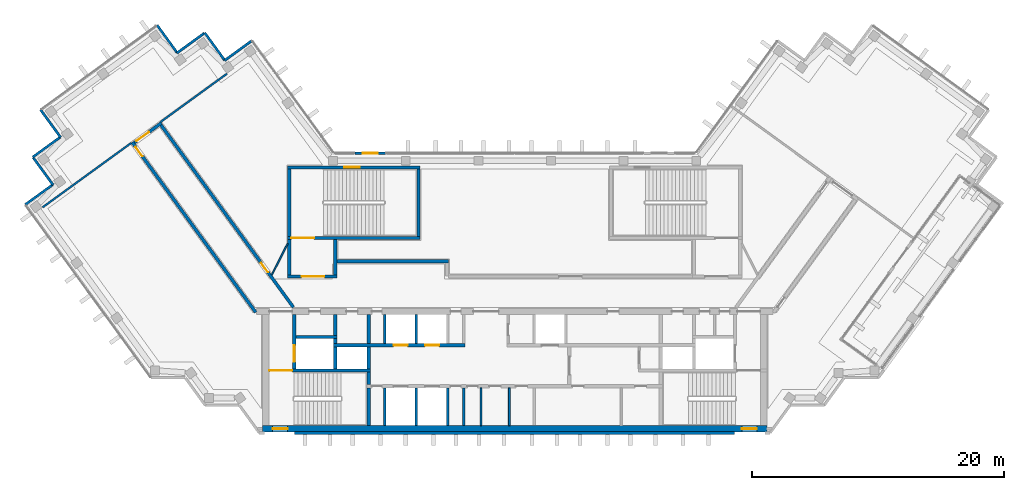
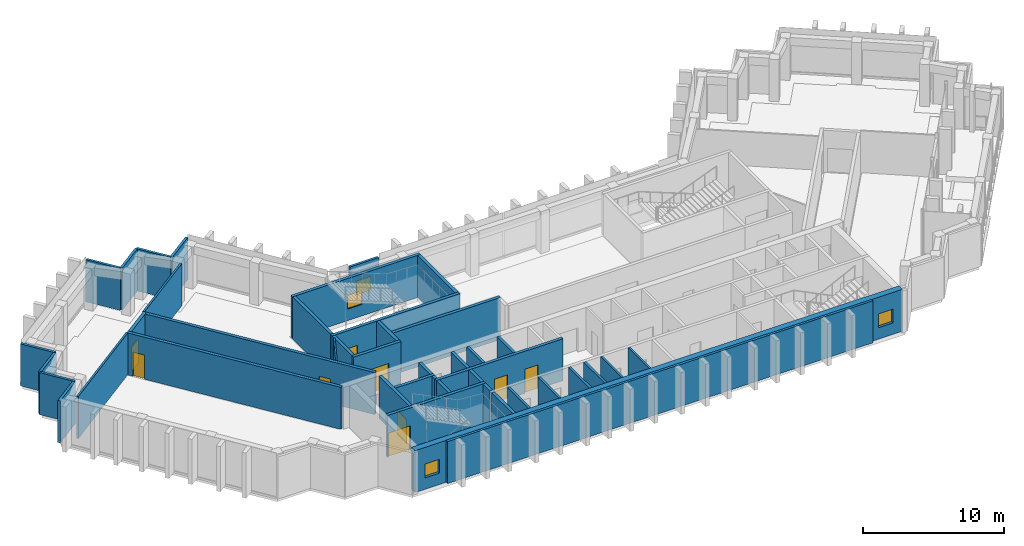
# One storey, part 4 of 9: 44 walls, 9 doors, 4 windows, 13 openings.
"""IFC4 building model written with IfcOpenShell, lengths in metres."""

from ifc_helpers import new_model, si_unit, direction, frame, frame_2d, origin, place, context, subcontext, project, spatial, rectangle, extrude, material, layer, layer_set, type_object, element, fill, save


model = new_model("IFC4")

# Units and contexts
model_context = context("Model", 3, precision=1e-05, world=origin(), true_north=direction((0.0, 1.0)))
body_context = subcontext(model_context, "Body", "Model", "MODEL_VIEW")
ifc_project = project(units=[si_unit("LENGTHUNIT", "METRE"), si_unit("AREAUNIT", "SQUARE_METRE"), si_unit("VOLUMEUNIT", "CUBIC_METRE"), si_unit("PLANEANGLEUNIT", "RADIAN"), si_unit("MASSUNIT", "GRAM", prefix="KILO")], contexts=[model_context])

# Site, building, storey
site_placement = place(None, origin())
site = spatial("IfcSite", under=ifc_project, at=site_placement, CompositionType="ELEMENT")
building_placement = place(site_placement, origin())
building = spatial("IfcBuilding", under=site, at=building_placement, Name="Quipu Civic Tower", CompositionType="ELEMENT")
storey_placement = place(building_placement, frame((0.0, 0.0, 315.0)))
storey = spatial("IfcBuildingStorey", under=building, at=storey_placement, Name="L73", CompositionType="ELEMENT", Elevation=315.0)

# Walls
ifc_material_1 = material(Name="Double gypsum plasterboard with mineral wool")
ifc_layer_1 = layer(ifc_material_1, 0.14990234375)
ifc_layer_set_1 = layer_set([ifc_layer_1], Name="Double gypsum plasterboard with mineral wool")
wall_type_1 = type_object("IfcWallType", Name="Acoustic partition 150 plasterboard", PredefinedType="PARTITIONING", material=ifc_layer_set_1)
wall_1_placement = place(storey_placement, frame((-22.818359375, 17.39599609375, 0.0), z_axis=(0.0, 0.0, 1.0), x_axis=(-0.809000932727, -0.587807358619, 0.0)))
element("IfcWall", 1, at=wall_1_placement, inside=storey, type_object=wall_type_1, Name="Partition P02", PredefinedType="PARTITIONING", context=body_context, shape_type="SweptSolid", body=[
    extrude(rectangle(XDim=6.49560546875, YDim=0.14990234375, at=frame_2d((3.247802734375, 0.0))), origin(), (0.0, 0.0, 1.0), 3.64990234375),
])
wall_2_placement = place(storey_placement, frame((-37.42919921875, 6.805419921875, 0.0), z_axis=(0.0, 0.0, 1.0), x_axis=(0.809020922653, 0.587779845444, 0.0)))
element("IfcWall", 2, at=wall_2_placement, inside=storey, type_object=wall_type_1, Name="Partition P03", PredefinedType="PARTITIONING", context=body_context, shape_type="SweptSolid", body=[
    extrude(rectangle(XDim=8.670166015625, YDim=0.14990234375, at=frame_2d((4.3349609375, 0.0))), origin(), (0.0, 0.0, 1.0), 3.64990234375),
])
ifc_material_2 = material(Name="Concrete C70/85", Category="concrete")
ifc_layer_2 = layer(ifc_material_2, 0.25)
ifc_layer_set_2 = layer_set([ifc_layer_2], Name="Concrete C70/85")
wall_type_2 = type_object("IfcWallType", Name="Core wall 250", PredefinedType="SHEAR", material=ifc_layer_set_2)
wall_3_placement = place(storey_placement, frame((-11.574951171875, -10.5, 0.0), z_axis=(0.0, 0.0, 1.0), x_axis=(0.0, 1.0, 0.0)))
element("IfcWall", 3, at=wall_3_placement, inside=storey, type_object=wall_type_2, Name="Core wall", PredefinedType="SHEAR", context=body_context, shape_type="SweptSolid", body=[
    extrude(rectangle(XDim=3.0, YDim=0.25, at=frame_2d((1.5, 0.0))), origin(), (0.0, 0.0, 1.0), 3.64990234375),
])
wall_4_placement = place(storey_placement, frame((-11.574951171875, -7.25, 0.0), z_axis=(0.0, 0.0, 1.0), x_axis=(0.0, 1.0, 0.0)))
element("IfcWall", 4, at=wall_4_placement, inside=storey, type_object=wall_type_2, Name="Core wall", PredefinedType="SHEAR", context=body_context, shape_type="SweptSolid", body=[
    extrude(rectangle(XDim=1.0, YDim=0.25, at=frame_2d((0.5, 0.0))), origin(), (0.0, 0.0, 1.0), 3.64990234375),
])

# Wall, opening, door
wall_5_placement = place(storey_placement, frame((-11.449951171875, -6.125, 0.0), z_axis=(0.0, 0.0, 1.0), x_axis=(-1.0, 0.0, 0.0)))
wall_5 = element("IfcWall", 5, at=wall_5_placement, inside=storey, type_object=wall_type_2, Name="Core wall", PredefinedType="SHEAR", context=body_context, shape_type="SweptSolid", body=[
    extrude(rectangle(XDim=8.050048828125, YDim=0.25, at=frame_2d((4.02490234375, 0.0))), origin(), (0.0, 0.0, 1.0), 3.64990234375),
])
opening_1_placement = place(wall_5_placement, frame((6.199951171875, 0.0, 0.0)))
opening_1 = element("IfcOpeningElement", 6, at=opening_1_placement, cuts=wall_5, Name="Opening CD-08", PredefinedType="OPENING", context=body_context, shape_type="SweptSolid", body=[
    extrude(rectangle(XDim=1.800048828125, YDim=2.10009765625, at=frame_2d((0.89990234375, 1.050048828125))), frame((0.0, 0.135009765625, 0.0), z_axis=(0.0, -1.0, 0.0), x_axis=(1.0, 0.0, 0.0)), (0.0, 0.0, 1.0), 0.27001953125),
])
ifc_material_3 = material(Name="Fire rated steel door", Category="steel")
door_type_1 = type_object("IfcDoorType", Name="Fire door FD90 double 1800 x 2100", OperationType="NOTDEFINED", PredefinedType="DOOR", material=ifc_material_3)
door_1_placement = place(opening_1_placement, origin())
door_1 = element("IfcDoor", 7, at=door_1_placement, inside=storey, type_object=door_type_1, Name="Door", OperationType="DOUBLE_DOOR_SINGLE_SWING", OverallHeight=2.10009765625, OverallWidth=1.800048828125, PredefinedType="DOOR", context=body_context, shape_type="SweptSolid", body=[
    extrude(rectangle(XDim=1.800048828125, YDim=2.10009765625, at=frame_2d((0.89990234375, 1.050048828125))), frame((0.0, 0.02490234375, 0.0), z_axis=(0.0, -1.0, 0.0), x_axis=(1.0, 0.0, 0.0)), (0.0, 0.0, 1.0), 0.050048828125),
])
fill(opening_1, door_1)

wall_6_placement = place(storey_placement, frame((-17.47509765625, -6.0, 0.0), z_axis=(0.0, 0.0, 1.0), x_axis=(0.0, 1.0, 0.0)))
wall_6 = element("IfcWall", 8, at=wall_6_placement, inside=storey, type_object=wall_type_2, Name="Core wall", PredefinedType="SHEAR", context=body_context, shape_type="SweptSolid", body=[
    extrude(rectangle(XDim=4.300048828125, YDim=0.25, at=frame_2d((2.14990234375, 0.0))), origin(), (0.0, 0.0, 1.0), 3.64990234375),
])
opening_2_placement = place(wall_6_placement, frame((0.550048828125, 0.0, 0.0)))
opening_2 = element("IfcOpeningElement", 9, at=opening_2_placement, cuts=wall_6, Name="Opening LD-FF1", PredefinedType="OPENING", context=body_context, shape_type="SweptSolid", body=[
    extrude(rectangle(XDim=1.300048828125, YDim=2.10009765625, at=frame_2d((0.64990234375, 1.050048828125))), frame((0.0, 0.135009765625, 0.0), z_axis=(0.0, -1.0, 0.0), x_axis=(1.0, 0.0, 0.0)), (0.0, 0.0, 1.0), 0.27001953125),
])
ifc_material_4 = material(Name="Stainless steel", Category="steel")
door_type_2 = type_object("IfcDoorType", Name="Lift landing door 1300 x 2100", OperationType="DOUBLE_DOOR_SLIDING", PredefinedType="DOOR", material=ifc_material_4)
door_2_placement = place(opening_2_placement, origin())
door_2 = element("IfcDoor", 10, at=door_2_placement, inside=storey, type_object=door_type_2, Name="Landing door FF1", OperationType="DOUBLE_DOOR_SLIDING", OverallHeight=2.10009765625, OverallWidth=1.300048828125, PredefinedType="DOOR", context=body_context, shape_type="SweptSolid", body=[
    extrude(rectangle(XDim=1.300048828125, YDim=2.10009765625, at=frame_2d((0.64990234375, 1.050048828125))), frame((0.0, 0.02490234375, 0.0), z_axis=(0.0, -1.0, 0.0), x_axis=(1.0, 0.0, 0.0)), (0.0, 0.0, 1.0), 0.050048828125),
])
fill(opening_2, door_2)

# Walls
for number, where, z_axis, x_axis, name in (
    (11, (-14.22509765625, -6.0, 0.0), (0.0, 0.0, 1.0), (0.0, 1.0, 0.0), "Core wall"),
    (12, (-11.574951171875, -6.0, 0.0), (0.0, 0.0, 1.0), (0.0, 1.0, 0.0), "Core wall"),
):
    element("IfcWall", number, at=place(storey_placement, frame(where, z_axis=z_axis, x_axis=x_axis)), inside=storey, type_object=wall_type_2, Name=name, PredefinedType="SHEAR", context=body_context, shape_type="SweptSolid", body=[
        extrude(rectangle(XDim=1.75, YDim=0.25, at=frame_2d((0.875, 0.0))), origin(), (0.0, 0.0, 1.0), 3.64990234375),
    ])

# Wall, openings, doors
wall_7_placement = place(storey_placement, frame((-14.35009765625, -4.125, 0.0), z_axis=(0.0, 0.0, 1.0), x_axis=(1.0, 0.0, 0.0)))
wall_7 = element("IfcWall", 13, at=wall_7_placement, inside=storey, type_object=wall_type_2, Name="Core wall", PredefinedType="SHEAR", context=body_context, shape_type="SweptSolid", body=[
    extrude(rectangle(XDim=10.400146484375, YDim=0.25, at=frame_2d((5.2001953125, 0.0))), origin(), (0.0, 0.0, 1.0), 3.64990234375),
])
opening_3_placement = place(wall_7_placement, frame((4.75, 0.0, 0.0)))
opening_3 = element("IfcOpeningElement", 14, at=opening_3_placement, cuts=wall_7, Name="Opening LD-HL3", PredefinedType="OPENING", context=body_context, shape_type="SweptSolid", body=[
    extrude(rectangle(XDim=1.10009765625, YDim=2.10009765625, at=frame_2d((0.550048828125, 1.050048828125))), frame((0.0, 0.135009765625, 0.0), z_axis=(0.0, -1.0, 0.0), x_axis=(1.0, 0.0, 0.0)), (0.0, 0.0, 1.0), 0.27001953125),
])
opening_4_placement = place(wall_7_placement, frame((7.25, 0.0, 0.0)))
opening_4 = element("IfcOpeningElement", 15, at=opening_4_placement, cuts=wall_7, Name="Opening LD-HL4", PredefinedType="OPENING", context=body_context, shape_type="SweptSolid", body=[
    extrude(rectangle(XDim=1.10009765625, YDim=2.10009765625, at=frame_2d((0.550048828125, 1.050048828125))), frame((0.0, 0.135009765625, 0.0), z_axis=(0.0, -1.0, 0.0), x_axis=(1.0, 0.0, 0.0)), (0.0, 0.0, 1.0), 0.27001953125),
])
ifc_material_5 = material(Name="Stainless steel", Category="steel")
door_type_3 = type_object("IfcDoorType", Name="Lift landing door 1100 x 2100", OperationType="DOUBLE_DOOR_SLIDING", PredefinedType="DOOR", material=ifc_material_5)
door_3_placement = place(opening_3_placement, origin())
door_3 = element("IfcDoor", 16, at=door_3_placement, inside=storey, type_object=door_type_3, Name="Landing door HL3", OperationType="DOUBLE_DOOR_SLIDING", OverallHeight=2.10009765625, OverallWidth=1.10009765625, PredefinedType="DOOR", context=body_context, shape_type="SweptSolid", body=[
    extrude(rectangle(XDim=1.10009765625, YDim=2.10009765625, at=frame_2d((0.550048828125, 1.050048828125))), frame((0.0, 0.02490234375, 0.0), z_axis=(0.0, -1.0, 0.0), x_axis=(1.0, 0.0, 0.0)), (0.0, 0.0, 1.0), 0.050048828125),
])
fill(opening_3, door_3)
door_4_placement = place(opening_4_placement, origin())
door_4 = element("IfcDoor", 17, at=door_4_placement, inside=storey, type_object=door_type_3, Name="Landing door HL4", OperationType="DOUBLE_DOOR_SLIDING", OverallHeight=2.10009765625, OverallWidth=1.10009765625, PredefinedType="DOOR", context=body_context, shape_type="SweptSolid", body=[
    extrude(rectangle(XDim=1.10009765625, YDim=2.10009765625, at=frame_2d((0.550048828125, 1.050048828125))), frame((0.0, 0.02490234375, 0.0), z_axis=(0.0, -1.0, 0.0), x_axis=(1.0, 0.0, 0.0)), (0.0, 0.0, 1.0), 0.050048828125),
])
fill(opening_4, door_4)

# Walls
wall_8_placement = place(storey_placement, frame((-14.22509765625, -4.0, 0.0), z_axis=(0.0, 0.0, 1.0), x_axis=(0.0, 1.0, 0.0)))
element("IfcWall", 18, at=wall_8_placement, inside=storey, type_object=wall_type_2, Name="Core wall", PredefinedType="SHEAR", context=body_context, shape_type="SweptSolid", body=[
    extrude(rectangle(XDim=0.39990234375, YDim=0.25, at=frame_2d((0.199951171875, 0.0))), origin(), (0.0, 0.0, 1.0), 3.64990234375),
])
wall_9_placement = place(storey_placement, frame((-11.574951171875, -4.0, 0.0), z_axis=(0.0, 0.0, 1.0), x_axis=(0.0, 1.0, 0.0)))
element("IfcWall", 19, at=wall_9_placement, inside=storey, type_object=wall_type_2, Name="Core wall", PredefinedType="SHEAR", context=body_context, shape_type="SweptSolid", body=[
    extrude(rectangle(XDim=2.300048828125, YDim=0.25, at=frame_2d((1.14990234375, 0.0))), origin(), (0.0, 0.0, 1.0), 3.64990234375),
])
wall_10_placement = place(storey_placement, frame((-17.35009765625, -3.47509765625, 0.0), z_axis=(0.0, 0.0, 1.0), x_axis=(1.0, 0.0, 0.0)))
element("IfcWall", 20, at=wall_10_placement, inside=storey, type_object=wall_type_2, Name="Core wall", PredefinedType="SHEAR", context=body_context, shape_type="SweptSolid", body=[
    extrude(rectangle(XDim=3.25, YDim=0.25, at=frame_2d((1.625, 0.0))), origin(), (0.0, 0.0, 1.0), 3.64990234375),
])
wall_11_placement = place(storey_placement, frame((-14.22509765625, -3.35009765625, 0.0), z_axis=(0.0, 0.0, 1.0), x_axis=(0.0, 1.0, 0.0)))
element("IfcWall", 21, at=wall_11_placement, inside=storey, type_object=wall_type_2, Name="Core wall", PredefinedType="SHEAR", context=body_context, shape_type="SweptSolid", body=[
    extrude(rectangle(XDim=1.650146484375, YDim=0.25, at=frame_2d((0.8251953125, 0.0))), origin(), (0.0, 0.0, 1.0), 3.64990234375),
])

# Wall, opening, door
wall_12_placement = place(storey_placement, frame((-18.0, 1.324951171875, 0.0), z_axis=(0.0, 0.0, 1.0), x_axis=(1.0, 0.0, 0.0)))
wall_12 = element("IfcWall", 22, at=wall_12_placement, inside=storey, type_object=wall_type_2, Name="Core wall", PredefinedType="SHEAR", context=body_context, shape_type="SweptSolid", body=[
    extrude(rectangle(XDim=3.89990234375, YDim=0.25, at=frame_2d((1.949951171875, 0.0))), origin(), (0.0, 0.0, 1.0), 3.64990234375),
])
opening_5_placement = place(wall_12_placement, frame((1.10009765625, 0.0, 0.0)))
opening_5 = element("IfcOpeningElement", 23, at=opening_5_placement, cuts=wall_12, Name="Opening CD-24", PredefinedType="OPENING", context=body_context, shape_type="SweptSolid", body=[
    extrude(rectangle(XDim=1.800048828125, YDim=2.10009765625, at=frame_2d((0.89990234375, 1.050048828125))), frame((0.0, 0.135009765625, 0.0), z_axis=(0.0, -1.0, 0.0), x_axis=(1.0, 0.0, 0.0)), (0.0, 0.0, 1.0), 0.27001953125),
])
door_5_placement = place(opening_5_placement, origin())
door_5 = element("IfcDoor", 24, at=door_5_placement, inside=storey, type_object=door_type_1, Name="Lobby door", OperationType="DOUBLE_DOOR_SINGLE_SWING", OverallHeight=2.10009765625, OverallWidth=1.800048828125, PredefinedType="DOOR", context=body_context, shape_type="SweptSolid", body=[
    extrude(rectangle(XDim=1.800048828125, YDim=2.10009765625, at=frame_2d((0.89990234375, 1.050048828125))), frame((0.0, 0.02490234375, 0.0), z_axis=(0.0, -1.0, 0.0), x_axis=(1.0, 0.0, 0.0)), (0.0, 0.0, 1.0), 0.050048828125),
])
fill(opening_5, door_5)

# Walls
for number, where, z_axis, x_axis, name in (
    (25, (-17.875, 1.449951171875, 0.0), (0.0, 0.0, 1.0), (0.0, 1.0, 0.0), "Core wall"),
    (26, (-14.22509765625, 1.449951171875, 0.0), (0.0, 0.0, 1.0), (0.0, 1.0, 0.0), "Core wall"),
):
    element("IfcWall", number, at=place(storey_placement, frame(where, z_axis=z_axis, x_axis=x_axis)), inside=storey, type_object=wall_type_2, Name=name, PredefinedType="SHEAR", context=body_context, shape_type="SweptSolid", body=[
        extrude(rectangle(XDim=2.800048828125, YDim=0.25, at=frame_2d((1.39990234375, 0.0))), origin(), (0.0, 0.0, 1.0), 3.64990234375),
    ])

# Wall, opening, door
wall_13_placement = place(storey_placement, frame((-18.0, 4.375, 0.0), z_axis=(0.0, 0.0, 1.0), x_axis=(1.0, 0.0, 0.0)))
wall_13 = element("IfcWall", 27, at=wall_13_placement, inside=storey, type_object=wall_type_2, Name="Core wall", PredefinedType="SHEAR", context=body_context, shape_type="SweptSolid", body=[
    extrude(rectangle(XDim=10.5, YDim=0.25, at=frame_2d((5.25, 0.0))), origin(), (0.0, 0.0, 1.0), 3.64990234375),
])
opening_6_placement = place(wall_13_placement, frame((0.300048828125, 0.0, 0.0)))
opening_6 = element("IfcOpeningElement", 28, at=opening_6_placement, cuts=wall_13, Name="Opening CD-25", PredefinedType="OPENING", context=body_context, shape_type="SweptSolid", body=[
    extrude(rectangle(XDim=1.800048828125, YDim=2.10009765625, at=frame_2d((0.89990234375, 1.050048828125))), frame((0.0, 0.135009765625, 0.0), z_axis=(0.0, -1.0, 0.0), x_axis=(1.0, 0.0, 0.0)), (0.0, 0.0, 1.0), 0.27001953125),
])
door_6_placement = place(opening_6_placement, origin())
door_6 = element("IfcDoor", 29, at=door_6_placement, inside=storey, type_object=door_type_1, Name="Door", OperationType="DOUBLE_DOOR_SINGLE_SWING", OverallHeight=2.10009765625, OverallWidth=1.800048828125, PredefinedType="DOOR", context=body_context, shape_type="SweptSolid", body=[
    extrude(rectangle(XDim=1.800048828125, YDim=2.10009765625, at=frame_2d((0.89990234375, 1.050048828125))), frame((0.0, 0.02490234375, 0.0), z_axis=(0.0, -1.0, 0.0), x_axis=(1.0, 0.0, 0.0)), (0.0, 0.0, 1.0), 0.050048828125),
])
fill(opening_6, door_6)

# Walls
for number, where, z_axis, x_axis, name in (
    (30, (-17.875, 4.5, 0.0), (0.0, 0.0, 1.0), (0.0, 1.0, 0.0), "Core wall"),
    (31, (-7.625, 4.5, 0.0), (0.0, 0.0, 1.0), (0.0, 1.0, 0.0), "Core wall"),
):
    element("IfcWall", number, at=place(storey_placement, frame(where, z_axis=z_axis, x_axis=x_axis)), inside=storey, type_object=wall_type_2, Name=name, PredefinedType="SHEAR", context=body_context, shape_type="SweptSolid", body=[
        extrude(rectangle(XDim=5.35009765625, YDim=0.25, at=frame_2d((2.675048828125, 0.0))), origin(), (0.0, 0.0, 1.0), 3.64990234375),
    ])

# Wall, opening, window
wall_14_placement = place(storey_placement, frame((-18.0, 9.97509765625, 0.0), z_axis=(0.0, 0.0, 1.0), x_axis=(1.0, 0.0, 0.0)))
wall_14 = element("IfcWall", 32, at=wall_14_placement, inside=storey, type_object=wall_type_2, Name="Core wall", PredefinedType="SHEAR", context=body_context, shape_type="SweptSolid", body=[
    extrude(rectangle(XDim=10.5, YDim=0.25, at=frame_2d((5.25, 0.0))), origin(), (0.0, 0.0, 1.0), 3.64990234375),
])
opening_7_placement = place(wall_14_placement, frame((4.5, 0.0, 1.0)))
opening_7 = element("IfcOpeningElement", 33, at=opening_7_placement, cuts=wall_14, Name="Opening SV-3", PredefinedType="OPENING", context=body_context, shape_type="SweptSolid", body=[
    extrude(rectangle(XDim=1.199951171875, YDim=1.199951171875, at=frame_2d((0.60009765625, 0.60009765625))), frame((0.0, 0.135009765625, 0.0), z_axis=(0.0, -1.0, 0.0), x_axis=(1.0, 0.0, 0.0)), (0.0, 0.0, 1.0), 0.27001953125),
])
ifc_material_6 = material(Name="Aluminium louvre", Category="aluminium")
window_type_1 = type_object("IfcWindowType", Name="Stair ventilation louvre 1200 x 1200", PartitioningType="SINGLE_PANEL", PredefinedType="WINDOW", material=ifc_material_6)
window_1_placement = place(opening_7_placement, origin())
window_1 = element("IfcWindow", 34, at=window_1_placement, inside=storey, type_object=window_type_1, Name="Stair ventilation opening", OverallHeight=1.199951171875, OverallWidth=1.199951171875, PartitioningType="SINGLE_PANEL", PredefinedType="WINDOW", context=body_context, shape_type="SweptSolid", body=[
    extrude(rectangle(XDim=1.199951171875, YDim=1.199951171875, at=frame_2d((0.60009765625, 0.60009765625))), frame((0.0, 0.030029296875, 0.0), z_axis=(0.0, -1.0, 0.0), x_axis=(1.0, 0.0, 0.0)), (0.0, 0.0, 1.0), 0.06005859375),
])
fill(opening_7, window_1)

# Wall, openings, windows
ifc_material_7 = material(Name="Concrete C70/85", Category="concrete")
ifc_layer_3 = layer(ifc_material_7, 0.5)
ifc_layer_set_3 = layer_set([ifc_layer_3], Name="Concrete C70/85")
wall_type_3 = type_object("IfcWallType", Name="Core wall 500", PredefinedType="SHEAR", material=ifc_layer_set_3)
wall_15_placement = place(storey_placement, frame((-20.0, -10.75, 0.0), z_axis=(0.0, 0.0, 1.0), x_axis=(1.0, 0.0, 0.0)))
wall_15 = element("IfcWall", 35, at=wall_15_placement, inside=storey, type_object=wall_type_3, Name="Core wall", PredefinedType="SHEAR", context=body_context, shape_type="SweptSolid", body=[
    extrude(rectangle(XDim=40.0, YDim=0.5, at=frame_2d((20.0, 0.0))), origin(), (0.0, 0.0, 1.0), 3.64990234375),
])
opening_8_placement = place(wall_15_placement, frame((0.800048828125, 0.0, 1.0)))
opening_8 = element("IfcOpeningElement", 36, at=opening_8_placement, cuts=wall_15, Name="Opening SV-1", PredefinedType="OPENING", context=body_context, shape_type="SweptSolid", body=[
    extrude(rectangle(XDim=1.199951171875, YDim=1.199951171875, at=frame_2d((0.60009765625, 0.60009765625))), frame((0.0, 0.260009765625, 0.0), z_axis=(0.0, -1.0, 0.0), x_axis=(1.0, 0.0, 0.0)), (0.0, 0.0, 1.0), 0.52001953125),
])
opening_9_placement = place(wall_15_placement, frame((38.0, 0.0, 1.0)))
opening_9 = element("IfcOpeningElement", 37, at=opening_9_placement, cuts=wall_15, Name="Opening SV-2", PredefinedType="OPENING", context=body_context, shape_type="SweptSolid", body=[
    extrude(rectangle(XDim=1.199951171875, YDim=1.199951171875, at=frame_2d((0.60009765625, 0.60009765625))), frame((0.0, 0.260009765625, 0.0), z_axis=(0.0, -1.0, 0.0), x_axis=(1.0, 0.0, 0.0)), (0.0, 0.0, 1.0), 0.52001953125),
])
window_2_placement = place(opening_8_placement, origin())
window_2 = element("IfcWindow", 38, at=window_2_placement, inside=storey, type_object=window_type_1, Name="Stair ventilation opening", OverallHeight=1.199951171875, OverallWidth=1.199951171875, PartitioningType="SINGLE_PANEL", PredefinedType="WINDOW", context=body_context, shape_type="SweptSolid", body=[
    extrude(rectangle(XDim=1.199951171875, YDim=1.199951171875, at=frame_2d((0.60009765625, 0.60009765625))), frame((0.0, 0.030029296875, 0.0), z_axis=(0.0, -1.0, 0.0), x_axis=(1.0, 0.0, 0.0)), (0.0, 0.0, 1.0), 0.06005859375),
])
fill(opening_8, window_2)
window_3_placement = place(opening_9_placement, origin())
window_3 = element("IfcWindow", 39, at=window_3_placement, inside=storey, type_object=window_type_1, Name="Stair ventilation opening", OverallHeight=1.199951171875, OverallWidth=1.199951171875, PartitioningType="SINGLE_PANEL", PredefinedType="WINDOW", context=body_context, shape_type="SweptSolid", body=[
    extrude(rectangle(XDim=1.199951171875, YDim=1.199951171875, at=frame_2d((0.60009765625, 0.60009765625))), frame((0.0, 0.030029296875, 0.0), z_axis=(0.0, -1.0, 0.0), x_axis=(1.0, 0.0, 0.0)), (0.0, 0.0, 1.0), 0.06005859375),
])
fill(opening_9, window_3)

# Wall, opening, door
ifc_material_8 = material(Name="Concrete C50/60", Category="concrete")
ifc_layer_4 = layer(ifc_material_8, 0.25)
ifc_layer_set_4 = layer_set([ifc_layer_4], Name="Concrete C50/60")
wall_type_4 = type_object("IfcWallType", Name="Corridor wall 250 concrete", PredefinedType="SOLIDWALL", material=ifc_layer_set_4)
wall_16_placement = place(storey_placement, frame((-20.531005859375, -1.5234375, 0.0), z_axis=(0.0, 0.0, 1.0), x_axis=(-0.587785867777, 0.809016547199, 0.0)))
wall_16 = element("IfcWall", 40, at=wall_16_placement, inside=storey, type_object=wall_type_4, Name="Corridor wall C04", PredefinedType="SOLIDWALL", context=body_context, shape_type="SweptSolid", body=[
    extrude(rectangle(XDim=16.67041015625, YDim=0.25, at=frame_2d((8.335205078125, 0.0))), origin(), (0.0, 0.0, 1.0), 3.64990234375),
])
opening_10_placement = place(wall_16_placement, frame((15.2958984375, 0.0, 0.0)))
opening_10 = element("IfcOpeningElement", 41, at=opening_10_placement, cuts=wall_16, Name="Opening D006", PredefinedType="OPENING", context=body_context, shape_type="SweptSolid", body=[
    extrude(rectangle(XDim=0.89990234375, YDim=2.10009765625, at=frame_2d((0.449951171875, 1.050048828125))), frame((0.0, 0.135009765625, 0.0), z_axis=(0.0, -1.0, 0.0), x_axis=(1.0, 0.0, 0.0)), (0.0, 0.0, 1.0), 0.27001953125),
])
ifc_material_9 = material(Name="Fire rated timber door set with metal frame", Category="wood")
door_type_4 = type_object("IfcDoorType", Name="Single door 900 x 2100 FD60", OperationType="NOTDEFINED", PredefinedType="DOOR", material=ifc_material_9)
door_7_placement = place(opening_10_placement, origin())
door_7 = element("IfcDoor", 42, at=door_7_placement, inside=storey, type_object=door_type_4, Name="Door D006", OperationType="SINGLE_SWING_RIGHT", OverallHeight=2.10009765625, OverallWidth=0.89990234375, PredefinedType="DOOR", context=body_context, shape_type="SweptSolid", body=[
    extrude(rectangle(XDim=0.89990234375, YDim=2.10009765625, at=frame_2d((0.449951171875, 1.050048828125))), frame((0.0, 0.02490234375, 0.0), z_axis=(0.0, -1.0, 0.0), x_axis=(1.0, 0.0, 0.0)), (0.0, 0.0, 1.0), 0.050048828125),
])
fill(opening_10, door_7)

wall_17_placement = place(storey_placement, frame((-30.155029296875, 11.935546875, 0.0), z_axis=(0.0, 0.0, 1.0), x_axis=(0.809038743598, 0.587755315891, 0.0)))
wall_17 = element("IfcWall", 43, at=wall_17_placement, inside=storey, type_object=wall_type_4, Name="Corridor wall C05", PredefinedType="SOLIDWALL", context=body_context, shape_type="SweptSolid", body=[
    extrude(rectangle(XDim=2.650146484375, YDim=0.25, at=frame_2d((1.3251953125, 0.0))), origin(), (0.0, 0.0, 1.0), 3.64990234375),
])
opening_11_placement = place(wall_17_placement, frame((0.224609375, 0.0, 0.0)))
opening_11 = element("IfcOpeningElement", 44, at=opening_11_placement, cuts=wall_17, Name="Opening D007", PredefinedType="OPENING", context=body_context, shape_type="SweptSolid", body=[
    extrude(rectangle(XDim=1.199951171875, YDim=2.10009765625, at=frame_2d((0.60009765625, 1.050048828125))), frame((0.0, 0.135009765625, 0.0), z_axis=(0.0, -1.0, 0.0), x_axis=(1.0, 0.0, 0.0)), (0.0, 0.0, 1.0), 0.27001953125),
])
ifc_material_10 = material(Name="Fire rated timber door set with metal frame", Category="wood")
door_type_5 = type_object("IfcDoorType", Name="Single door 1200 x 2100 FD60", OperationType="NOTDEFINED", PredefinedType="DOOR", material=ifc_material_10)
door_8_placement = place(opening_11_placement, origin())
door_8 = element("IfcDoor", 45, at=door_8_placement, inside=storey, type_object=door_type_5, Name="Door D007", OperationType="SINGLE_SWING_LEFT", OverallHeight=2.10009765625, OverallWidth=1.199951171875, PredefinedType="DOOR", context=body_context, shape_type="SweptSolid", body=[
    extrude(rectangle(XDim=1.199951171875, YDim=2.10009765625, at=frame_2d((0.60009765625, 1.050048828125))), frame((0.0, 0.02490234375, 0.0), z_axis=(0.0, -1.0, 0.0), x_axis=(1.0, 0.0, 0.0)), (0.0, 0.0, 1.0), 0.050048828125),
])
fill(opening_11, door_8)

wall_18_placement = place(storey_placement, frame((-28.038818359375, 13.318603515625, 0.0), z_axis=(0.0, 0.0, 1.0), x_axis=(0.587791911753, -0.809012155952, 0.0)))
wall_18 = element("IfcWall", 46, at=wall_18_placement, inside=storey, type_object=wall_type_4, Name="Corridor wall C06", PredefinedType="SOLIDWALL", context=body_context, shape_type="SweptSolid", body=[
    extrude(rectangle(XDim=17.85302734375, YDim=0.25, at=frame_2d((8.926513671875, 0.0))), origin(), (0.0, 0.0, 1.0), 3.64990234375),
])
opening_12_placement = place(wall_18_placement, frame((13.51171875, 0.0, 0.0)))
opening_12 = element("IfcOpeningElement", 47, at=opening_12_placement, cuts=wall_18, Name="Opening D005", PredefinedType="OPENING", context=body_context, shape_type="SweptSolid", body=[
    extrude(rectangle(XDim=0.89990234375, YDim=2.10009765625, at=frame_2d((0.449951171875, 1.050048828125))), frame((0.0, 0.135009765625, 0.0), z_axis=(0.0, -1.0, 0.0), x_axis=(1.0, 0.0, 0.0)), (0.0, 0.0, 1.0), 0.27001953125),
])
door_9_placement = place(opening_12_placement, origin())
door_9 = element("IfcDoor", 48, at=door_9_placement, inside=storey, type_object=door_type_4, Name="Door D005", OperationType="SINGLE_SWING_RIGHT", OverallHeight=2.10009765625, OverallWidth=0.89990234375, PredefinedType="DOOR", context=body_context, shape_type="SweptSolid", body=[
    extrude(rectangle(XDim=0.89990234375, YDim=2.10009765625, at=frame_2d((0.449951171875, 1.050048828125))), frame((0.0, 0.02490234375, 0.0), z_axis=(0.0, -1.0, 0.0), x_axis=(1.0, 0.0, 0.0)), (0.0, 0.0, 1.0), 0.050048828125),
])
fill(opening_12, door_9)

# Walls
wall_19_placement = place(storey_placement, frame((-14.090087890625, 2.52490234375, 0.0), z_axis=(0.0, 0.0, 1.0), x_axis=(1.0, 0.0, 0.0)))
element("IfcWall", 49, at=wall_19_placement, inside=storey, type_object=wall_type_4, Name="Corridor wall C07", PredefinedType="SOLIDWALL", context=body_context, shape_type="SweptSolid", body=[
    extrude(rectangle(XDim=8.840087890625, YDim=0.25, at=frame_2d((4.419921875, 0.0))), origin(), (0.0, 0.0, 1.0), 3.64990234375),
])
ifc_material_11 = material(Name="Gypsum plasterboard on light gauge framing")
ifc_layer_5 = layer(ifc_material_11, 0.1201171875)
ifc_layer_set_5 = layer_set([ifc_layer_5], Name="Gypsum plasterboard on light gauge framing")
wall_type_5 = type_object("IfcWallType", Name="Partition 120 plasterboard", PredefinedType="PARTITIONING", material=ifc_layer_set_5)
wall_20_placement = place(storey_placement, frame((-19.260986328125, 1.449951171875, 0.0), z_axis=(0.0, 0.0, 1.0), x_axis=(0.453950796792, 0.891026752736, 0.0)))
element("IfcWall", 50, at=wall_20_placement, inside=storey, type_object=wall_type_5, Name="Partition P06", PredefinedType="PARTITIONING", context=body_context, shape_type="SweptSolid", body=[
    extrude(rectangle(XDim=2.77783203125, YDim=0.1201171875, at=frame_2d((1.388916015625, 0.0))), origin(), (0.0, 0.0, 1.0), 3.64990234375),
])
ifc_material_12 = material(Name="Gypsum board partition")
ifc_layer_6 = layer(ifc_material_12, 0.14990234375)
ifc_layer_set_6 = layer_set([ifc_layer_6], Name="Gypsum board partition")
wall_type_6 = type_object("IfcWallType", Name="Partition 150", PredefinedType="PARTITIONING", material=ifc_layer_set_6)
for number, where, z_axis, x_axis, name in (
    (51, (-2.675048828125, -10.5, 0.0), (0.0, 0.0, 1.0), (0.0, 1.0, 0.0), "Partition"),
    (52, (-0.425048828125, -10.5, 0.0), (0.0, 0.0, 1.0), (0.0, 1.0, 0.0), "Partition"),
):
    element("IfcWall", number, at=place(storey_placement, frame(where, z_axis=z_axis, x_axis=x_axis)), inside=storey, type_object=wall_type_6, Name=name, PredefinedType="PARTITIONING", context=body_context, shape_type="SweptSolid", body=[
        extrude(rectangle(XDim=3.0, YDim=0.14990234375, at=frame_2d((1.5, 0.0))), origin(), (0.0, 0.0, 1.0), 3.64990234375),
    ])

# Wall, opening, window
ifc_material_13 = material(Name="Precast concrete C40/50", Category="concrete")
wall_type_7 = type_object("IfcWallType", Name="Precast cladding wall", PredefinedType="SOLIDWALL", material=ifc_material_13)
wall_21_placement = place(storey_placement, frame((-10.263427734375, 11.10009765625, 0.0), z_axis=(0.0, 0.0, 1.0), x_axis=(-1.0, 0.0, 0.0)))
wall_21 = element("IfcWall", 53, at=wall_21_placement, inside=storey, type_object=wall_type_7, Name="Vent surround SF-L71-1", PredefinedType="SOLIDWALL", context=body_context, shape_type="SweptSolid", body=[
    extrude(rectangle(XDim=2.3916015625, YDim=0.199951171875, at=frame_2d((1.19580078125, 0.0))), origin(), (0.0, 0.0, 1.0), 3.64990234375),
])
opening_13_placement = place(wall_21_placement, frame((0.595703125, 0.0, 1.0)))
opening_13 = element("IfcOpeningElement", 54, at=opening_13_placement, cuts=wall_21, Name="Opening SF-L71-1", PredefinedType="OPENING", context=body_context, shape_type="SweptSolid", body=[
    extrude(rectangle(XDim=1.199951171875, YDim=1.199951171875, at=frame_2d((0.60009765625, 0.60009765625))), frame((0.0, 0.10986328125, 0.0), z_axis=(0.0, -1.0, 0.0), x_axis=(1.0, 0.0, 0.0)), (0.0, 0.0, 1.0), 0.219970703125),
])
ifc_material_14 = material(Name="Anodised aluminium louvre", Category="aluminium")
window_type_2 = type_object("IfcWindowType", Name="Stair vent louvre window P3", PartitioningType="SINGLE_PANEL", PredefinedType="WINDOW", material=ifc_material_14)
window_4_placement = place(opening_13_placement, origin())
window_4 = element("IfcWindow", 55, at=window_4_placement, inside=storey, type_object=window_type_2, Name="Stair vent louvre SF-L71-1", OverallHeight=1.199951171875, OverallWidth=1.199951171875, PartitioningType="SINGLE_PANEL", PredefinedType="WINDOW", context=body_context, shape_type="SweptSolid", body=[
    extrude(rectangle(XDim=1.199951171875, YDim=1.199951171875, at=frame_2d((0.60009765625, 0.60009765625))), frame((0.0, 0.030029296875, 0.0), z_axis=(0.0, -1.0, 0.0), x_axis=(1.0, 0.0, 0.0)), (0.0, 0.0, 1.0), 0.06005859375),
])
fill(opening_13, window_4)

# Walls
for number, where, z_axis, x_axis, name in (
    (56, (-20.828857421875, 20.025390625, 0.0), (0.0, 0.0, 1.0), (-0.808990163075, -0.587822180636, 0.0), "Precast cladding wall L73 P14"),
    (57, (-22.996337890625, 18.465576171875, 0.0), (0.0, 0.0, 1.0), (-0.587762999008, 0.809033161865, 0.0), "Precast cladding wall L73 P15"),
):
    element("IfcWall", number, at=place(storey_placement, frame(where, z_axis=z_axis, x_axis=x_axis)), inside=storey, type_object=wall_type_7, Name=name, PredefinedType="SOLIDWALL", context=body_context, shape_type="SweptSolid", body=[
        extrude(rectangle(XDim=2.699951171875, YDim=0.199951171875, at=frame_2d((1.35009765625, 0.0))), origin(), (0.0, 0.0, 1.0), 3.64990234375),
    ])
for number, where, z_axis, x_axis, name in (
    (58, (-24.60009765625, 20.62255859375, 0.0), (0.0, 0.0, 1.0), (-0.809064397168, -0.587720002413, 0.0), "Precast cladding wall L73 P16"),
    (59, (-26.767578125, 19.062744140625, 0.0), (0.0, 0.0, 1.0), (-0.587720002413, 0.809064397168, 0.0), "Precast cladding wall L73 P17"),
):
    element("IfcWall", number, at=place(storey_placement, frame(where, z_axis=z_axis, x_axis=x_axis)), inside=storey, type_object=wall_type_7, Name=name, PredefinedType="SOLIDWALL", context=body_context, shape_type="SweptSolid", body=[
        extrude(rectangle(XDim=2.7001953125, YDim=0.199951171875, at=frame_2d((1.35009765625, 0.0))), origin(), (0.0, 0.0, 1.0), 3.64990234375),
    ])
for number, where, z_axis, x_axis, name in (
    (60, (-37.591796875, 14.535888671875, 0.0), (0.0, 0.0, 1.0), (0.587762999008, -0.809033161865, 0.0), "Precast cladding wall L73 P19"),
    (61, (-36.031982421875, 12.36865234375, 0.0), (0.0, 0.0, 1.0), (-0.809033161865, -0.587762999008, 0.0), "Precast cladding wall L73 P20"),
    (62, (-38.189208984375, 10.7646484375, 0.0), (0.0, 0.0, 1.0), (0.587822180636, -0.808990163075, 0.0), "Precast cladding wall L73 P21"),
    (63, (-36.62939453125, 8.597412109375, 0.0), (0.0, 0.0, 1.0), (-0.809033161865, -0.587762999008, 0.0), "Precast cladding wall L73 P22"),
):
    element("IfcWall", number, at=place(storey_placement, frame(where, z_axis=z_axis, x_axis=x_axis)), inside=storey, type_object=wall_type_7, Name=name, PredefinedType="SOLIDWALL", context=body_context, shape_type="SweptSolid", body=[
        extrude(rectangle(XDim=2.699951171875, YDim=0.199951171875, at=frame_2d((1.35009765625, 0.0))), origin(), (0.0, 0.0, 1.0), 3.64990234375),
    ])
wall_22_placement = place(storey_placement, frame((-17.44384765625, -11.087890625, 0.0), z_axis=(0.0, 0.0, 1.0), x_axis=(1.0, 0.0, 0.0)))
element("IfcWall", 64, at=wall_22_placement, inside=storey, type_object=wall_type_7, Name="Precast cladding wall L73 P29", PredefinedType="SOLIDWALL", context=body_context, shape_type="SweptSolid", body=[
    extrude(rectangle(XDim=34.8876953125, YDim=0.199951171875, at=frame_2d((17.44384765625, 0.0))), origin(), (0.0, 0.0, 1.0), 3.64990234375),
])
ifc_material_15 = material(Name="Concrete C40/50", Category="concrete")
ifc_layer_7 = layer(ifc_material_15, 0.199951171875)
ifc_layer_set_7 = layer_set([ifc_layer_7], Name="Concrete C40/50")
wall_type_8 = type_object("IfcWallType", Name="Shaft wall 200", PredefinedType="SOLIDWALL", material=ifc_layer_set_7)
for number, where, z_axis, x_axis, name in (
    (65, (-10.300048828125, -10.5, 0.0), (0.0, 0.0, 1.0), (0.0, 1.0, 0.0), "Shaft wall"),
    (66, (-7.800048828125, -10.5, 0.0), (0.0, 0.0, 1.0), (0.0, 1.0, 0.0), "Shaft wall"),
    (67, (-5.300048828125, -10.5, 0.0), (0.0, 0.0, 1.0), (0.0, 1.0, 0.0), "Shaft wall"),
    (68, (-4.050048828125, -10.5, 0.0), (0.0, 0.0, 1.0), (0.0, 1.0, 0.0), "Shaft wall"),
):
    element("IfcWall", number, at=place(storey_placement, frame(where, z_axis=z_axis, x_axis=x_axis)), inside=storey, type_object=wall_type_8, Name=name, PredefinedType="SOLIDWALL", context=body_context, shape_type="SweptSolid", body=[
        extrude(rectangle(XDim=3.0, YDim=0.199951171875, at=frame_2d((1.5, 0.0))), origin(), (0.0, 0.0, 1.0), 3.64990234375),
    ])
for number, where, z_axis, x_axis, name in (
    (69, (-10.300048828125, -4.0, 0.0), (0.0, 0.0, 1.0), (0.0, 1.0, 0.0), "Shaft wall"),
    (70, (-7.800048828125, -4.0, 0.0), (0.0, 0.0, 1.0), (0.0, 1.0, 0.0), "Shaft wall"),
):
    element("IfcWall", number, at=place(storey_placement, frame(where, z_axis=z_axis, x_axis=x_axis)), inside=storey, type_object=wall_type_8, Name=name, PredefinedType="SOLIDWALL", context=body_context, shape_type="SweptSolid", body=[
        extrude(rectangle(XDim=2.300048828125, YDim=0.199951171875, at=frame_2d((1.14990234375, 0.0))), origin(), (0.0, 0.0, 1.0), 3.64990234375),
    ])

save(model, "model.ifc")
